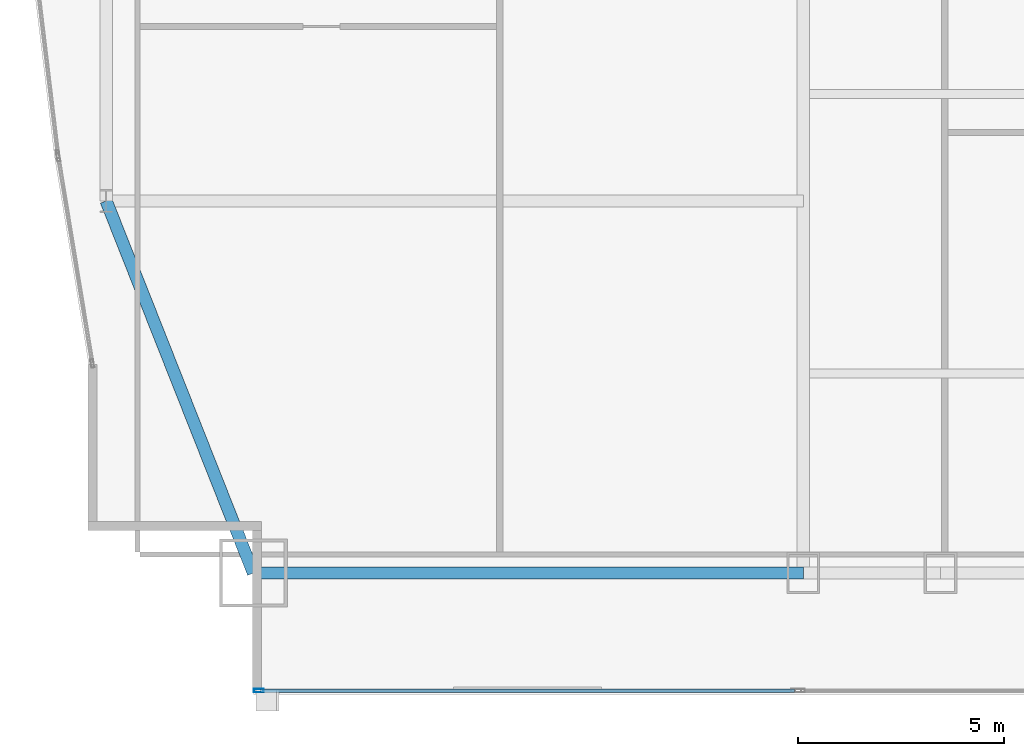
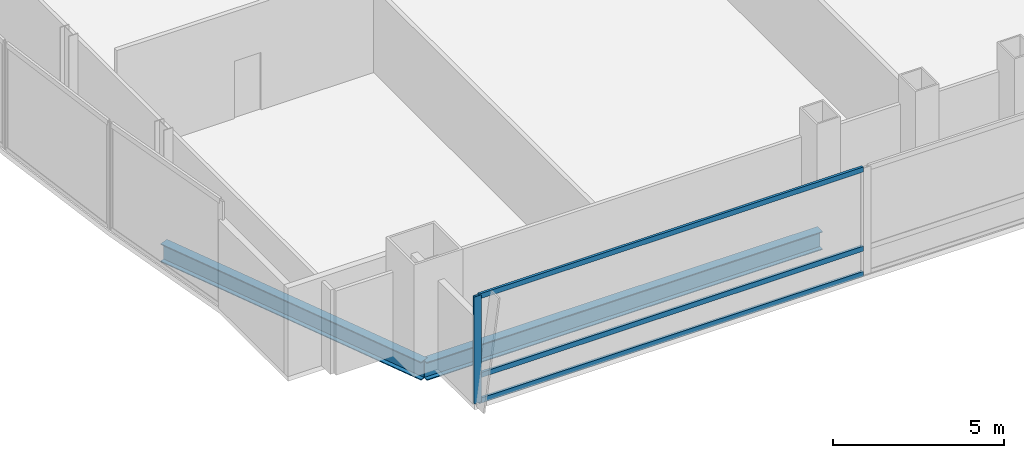
# One storey, part 5 of 32: 4 members, 2 beams, 1 element without a shape of its own.
"""IFC4 building model written with IfcOpenShell, lengths in metres."""

import ifcopenshell
import ifcopenshell.guid

model = None  # the IFC model being written
_history = None  # IfcOwnerHistory: only IFC2X3 demands one
_inside = {}  # id of a spatial element -> (the spatial element, [elements in it])
_under = {}  # id of a project, library or spatial element -> (it, [spatial elements below it])
_declared = {}  # id of a project -> (the project, [libraries it declares])
_typed = {}  # id of a type object -> (the type object, [elements of that type])
_made_of = {}  # id of a material, layer set ... -> (it, [elements and type objects made of it])


def new_model(schema):
    """Start an empty IFC model of exactly this schema.

    Asked for "IFC4X3", IfcOpenShell would pick the latest addendum, in which some entities
    have other attributes; the version numbers below select the first issue.
    IFC2X3 requires an IfcOwnerHistory on every rooted entity: one is made here for all.
    """
    global model, _history
    if schema == "IFC4X3":
        model = ifcopenshell.file(schema_version=(4, 3, 0, 0))
    else:
        model = ifcopenshell.file(schema=schema)
    _inside.clear()
    _under.clear()
    _declared.clear()
    _typed.clear()
    _made_of.clear()
    _history = None
    if model.schema == "IFC2X3":
        org = make("IfcOrganization", Name="unknown")
        user = make(
            "IfcPersonAndOrganization",
            ThePerson=make("IfcPerson", FamilyName="unknown"),
            TheOrganization=org,
        )
        app = make(
            "IfcApplication",
            ApplicationDeveloper=org,
            Version="unknown",
            ApplicationFullName="unknown",
            ApplicationIdentifier="unknown",
        )
        _history = make(
            "IfcOwnerHistory",
            OwningUser=user,
            OwningApplication=app,
            ChangeAction="ADDED",
            CreationDate=0,
        )
    return model


def make(cls, **values):
    """One entity of the class cls with the attributes given. An attribute that is None is left unset."""
    return model.create_entity(
        cls, **{name: value for name, value in values.items() if value is not None}
    )


def rooted(cls, **values):
    """An entity with a GlobalId (a new one), such as an element, a storey or a relation."""
    return make(cls, GlobalId=ifcopenshell.guid.new(), OwnerHistory=_history, **values)


def si_unit(unit_type, name, prefix=None):
    """IfcSIUnit, for example si_unit("LENGTHUNIT", "METRE", prefix="MILLI")."""
    return make("IfcSIUnit", UnitType=unit_type, Prefix=prefix, Name=name)


def assignment(units):
    """IfcUnitAssignment: the units of a project."""
    return None if units is None else make("IfcUnitAssignment", Units=units)


def point(xyz):
    """IfcCartesianPoint."""
    return None if xyz is None else make("IfcCartesianPoint", Coordinates=xyz)


def direction(xyz):
    """IfcDirection."""
    return None if xyz is None else make("IfcDirection", DirectionRatios=xyz)


def frame(location, z_axis=None, x_axis=None):
    """IfcAxis2Placement3D, a coordinate frame: its origin and axes. An axis left out is left unset."""
    return make(
        "IfcAxis2Placement3D",
        Location=point(location),
        Axis=direction(z_axis),
        RefDirection=direction(x_axis),
    )


def frame_2d(location, x_axis=None):
    """IfcAxis2Placement2D, a coordinate frame in the plane: its origin and x axis."""
    return make(
        "IfcAxis2Placement2D", Location=point(location), RefDirection=direction(x_axis)
    )


def origin():
    """The frame at (0, 0, 0) with its axes left unset."""
    return frame((0.0, 0.0, 0.0))


def origin_2d():
    """The frame at (0, 0) in the plane with its x axis left unset."""
    return frame_2d((0.0, 0.0))


def place(relative_to, where):
    """IfcLocalPlacement: puts the frame where relative to a parent placement (None: the world)."""
    return make(
        "IfcLocalPlacement", PlacementRelTo=relative_to, RelativePlacement=where
    )


def context(
    kind, dimensions, precision=None, world=None, true_north=None, identifier=None
):
    """IfcGeometricRepresentationContext, for example the 3D "Model" context."""
    return make(
        "IfcGeometricRepresentationContext",
        ContextIdentifier=identifier,
        ContextType=kind,
        CoordinateSpaceDimension=dimensions,
        Precision=precision,
        WorldCoordinateSystem=world,
        TrueNorth=true_north,
    )


def subcontext(parent, identifier, kind, view, scale=None):
    """IfcGeometricRepresentationSubContext, for example "Body" below "Model"."""
    return make(
        "IfcGeometricRepresentationSubContext",
        ContextIdentifier=identifier,
        ContextType=kind,
        ParentContext=parent,
        TargetScale=scale,
        TargetView=view,
    )


def project(units=None, contexts=None):
    """IfcProject with its units and contexts."""
    return rooted(
        "IfcProject",
        Name="project",
        RepresentationContexts=contexts,
        UnitsInContext=assignment(units),
    )


def spatial(cls, under=None, at=None, **own):
    """A site, building, storey or space (cls), placed at a placement, below another one or the project."""
    s = rooted(cls, ObjectPlacement=at, **own)
    if under is not None:
        _under.setdefault(under.id(), (under, []))[1].append(s)
    return s


def profile(cls, at=None, kind="AREA", **sizes):
    """A parametric profile (cls). Its sizes go by their IFC names, for example OverallWidth=200.0."""
    return make(cls, ProfileType=kind, Position=at, **sizes)


def hollow_rectangle(**sizes):
    """IfcRectangleHollowProfileDef."""
    return profile("IfcRectangleHollowProfileDef", **sizes)


def i_section(**sizes):
    """IfcIShapeProfileDef."""
    return profile("IfcIShapeProfileDef", **sizes)


def extrude(swept, where, along, depth):
    """IfcExtrudedAreaSolid: the profile swept, set in the frame where, extruded along a direction by depth."""
    return make(
        "IfcExtrudedAreaSolid",
        SweptArea=swept,
        Position=where,
        ExtrudedDirection=direction(along),
        Depth=depth,
    )


def shape(context_of_items, identifier, shape_type, items):
    """IfcShapeRepresentation: the items that make up one representation, for example the "Body"."""
    return make(
        "IfcShapeRepresentation",
        ContextOfItems=context_of_items,
        RepresentationIdentifier=identifier,
        RepresentationType=shape_type,
        Items=items,
    )


def material(Name=None, Category=None):
    """IfcMaterial."""
    return make("IfcMaterial", Name=Name, Category=Category)


def material_profile(
    of_material, cross_section, Name=None, Category=None, Priority=None
):
    """IfcMaterialProfile: a cross section and its material."""
    return make(
        "IfcMaterialProfile",
        Name=Name,
        Material=of_material,
        Profile=cross_section,
        Priority=Priority,
        Category=Category,
    )


def profile_set(profiles, Name=None, composite=None):
    """IfcMaterialProfileSet."""
    return make(
        "IfcMaterialProfileSet",
        Name=Name,
        MaterialProfiles=profiles,
        CompositeProfile=composite,
    )


def made_of(thing, what):
    """Note that an element or type object is made of a material, layer set ...; save() writes the relation."""
    if what is not None:
        _made_of.setdefault(what.id(), (what, []))[1].append(thing)
    return thing


def type_object(cls, material=None, **own):
    """A type object (cls), such as IfcWallType, which elements share."""
    return made_of(rooted(cls, **own), material)


def element(
    cls,
    number,
    at=None,
    inside=None,
    cuts=None,
    type_object=None,
    material=None,
    context=None,
    identifier="Body",
    shape_type=None,
    held_by="IfcProductDefinitionShape",
    body=None,
    shapes=None,
    **own,
):
    """One element of the class cls, such as IfcWall. Its Tag is "e" and its number.

    at: its placement. inside: the storey or other place that contains it. cuts: it is an
    opening in that element (IfcRelVoidsElement). A single representation is given by context,
    identifier, shape_type and body (its items); several are given by shapes. held_by: the class
    of the entity that holds the representations. save() writes the other relations.
    """
    e = rooted(cls, Tag="e%d" % number, ObjectPlacement=at, **own)
    if body is not None:
        shapes = [shape(context, identifier, shape_type, body)]
    if shapes is not None:
        e.Representation = make(held_by, Representations=shapes)
    if inside is not None:
        _inside.setdefault(inside.id(), (inside, []))[1].append(e)
    if cuts is not None:
        rooted(
            "IfcRelVoidsElement", RelatingBuildingElement=cuts, RelatedOpeningElement=e
        )
    if type_object is not None:
        _typed.setdefault(type_object.id(), (type_object, []))[1].append(e)
    return made_of(e, material)


def aggregate(whole, parts):
    """IfcRelAggregates: a whole, such as a stair, and the parts it consists of."""
    return rooted("IfcRelAggregates", RelatingObject=whole, RelatedObjects=parts)


def save(model, path):
    """Write the relations noted so far, then the file.

    IfcRelAggregates (storeys below a building ...), IfcRelContainedInSpatialStructure (elements
    in a storey), IfcRelDefinesByType, IfcRelAssociatesMaterial and IfcRelDeclares: one each for
    every whole, place, type object, material and project.
    """
    for whole, parts in _under.values():
        aggregate(whole, parts)
    for where, things in _inside.values():
        rooted(
            "IfcRelContainedInSpatialStructure",
            RelatedElements=things,
            RelatingStructure=where,
        )
    for kind, things in _typed.values():
        rooted("IfcRelDefinesByType", RelatedObjects=things, RelatingType=kind)
    for what, things in _made_of.values():
        rooted("IfcRelAssociatesMaterial", RelatedObjects=things, RelatingMaterial=what)
    for by, libraries in _declared.values():
        rooted("IfcRelDeclares", RelatingContext=by, RelatedDefinitions=libraries)
    model.write(path)


model = new_model("IFC4")

# Units and contexts
model_context = context("Model", 3, precision=1e-05, world=origin(), true_north=direction((0.0, 1.0)))
body_context = subcontext(model_context, "Body", "Model", "MODEL_VIEW")
ifc_project = project(units=[si_unit("LENGTHUNIT", "METRE"), si_unit("AREAUNIT", "SQUARE_METRE"), si_unit("VOLUMEUNIT", "CUBIC_METRE"), si_unit("PLANEANGLEUNIT", "RADIAN"), si_unit("MASSUNIT", "GRAM", prefix="KILO")], contexts=[model_context])

# Site, building, storey
site_placement = place(None, origin())
site = spatial("IfcSite", under=ifc_project, at=site_placement, CompositionType="ELEMENT")
building_placement = place(site_placement, origin())
building = spatial("IfcBuilding", under=site, at=building_placement, Name="Khoronbel Lancet Exchange", CompositionType="ELEMENT")
storey_placement = place(building_placement, frame((0.0, 0.0, 65.800048828125)))
storey = spatial("IfcBuildingStorey", under=building, at=storey_placement, Name="L15", CompositionType="ELEMENT", Elevation=65.800048828125)

# Beams
ifc_material_1 = material(Name="Steel S355", Category="steel")
ifc_material_profile_1 = material_profile(ifc_material_1, i_section(OverallWidth=0.300048828125, OverallDepth=0.64990234375, WebThickness=0.01611328125, FlangeThickness=0.031005859375, at=origin_2d()), Name="HEB 650")
ifc_profile_set_1 = profile_set([ifc_material_profile_1], Name="Steel S355")
beam_type = type_object("IfcBeamType", Name="BM-BSP1", PredefinedType="SPANDREL", material=ifc_profile_set_1)
beam_1_placement = place(storey_placement, frame((4.85009765625, 10.14990234375, -0.505126953125), z_axis=(1.0, 0.0, 0.0), x_axis=(0.0, 1.0, 0.0)))
element("IfcBeam", 1, at=beam_1_placement, inside=storey, type_object=beam_type, Name="Level L15 perimeter spandrel beam SP01", PredefinedType="SPANDREL", context=body_context, shape_type="SweptSolid", body=[
    extrude(i_section(OverallWidth=0.300048828125, OverallDepth=0.64990234375, WebThickness=0.01611328125, FlangeThickness=0.031005859375, at=origin_2d()), origin(), (0.0, 0.0, 1.0), 13.375),
])
beam_2_placement = place(storey_placement, frame((1.27001953125, 19.199951171875, -0.505126953125), z_axis=(0.367850095026, -0.92988510451, 0.0), x_axis=(0.92988510451, 0.367850095026, 0.0)))
element("IfcBeam", 2, at=beam_2_placement, inside=storey, type_object=beam_type, Name="Level L15 perimeter spandrel beam SP21", PredefinedType="SPANDREL", context=body_context, shape_type="SweptSolid", body=[
    extrude(i_section(OverallWidth=0.300048828125, OverallDepth=0.64990234375, WebThickness=0.01611328125, FlangeThickness=0.031005859375, at=origin_2d()), origin(), (0.0, 0.0, 1.0), 9.732421875),
])

# Curtain wall, members
ifc_material_2 = material(Name="Low-E Solar Control Insulating Glass", Category="glass")
curtain_wall_type = type_object("IfcCurtainWallType", Name="CW-1", PredefinedType="NOTDEFINED", material=ifc_material_2)
curtain_wall_placement = place(storey_placement, origin())
curtain_wall = element("IfcCurtainWall", 3, at=curtain_wall_placement, inside=storey, type_object=curtain_wall_type, Name="Unitised curtain wall CW-L15-SWV", PredefinedType="NOTDEFINED")
ifc_material_3 = material(Name="Bronze-Anodised Aluminium 6063-T6", Category="aluminium")
ifc_material_profile_2 = material_profile(ifc_material_3, hollow_rectangle(XDim=0.0849609375, YDim=0.239990234375, WallThickness=0.006103515625, at=origin_2d()), Name="ALU MULLION 85x240")
ifc_profile_set_2 = profile_set([ifc_material_profile_2], Name="Bronze-Anodised Aluminium 6063-T6")
member_type_1 = type_object("IfcMemberType", Name="MEM-CWM1", PredefinedType="MULLION", material=ifc_profile_set_2)
member_1_placement = place(storey_placement, frame((4.982421875, 7.2900390625, 0.0), z_axis=(0.0, 0.0, 1.0), x_axis=(0.0, 1.0, 0.0)))
member_1 = element("IfcMember", 4, at=member_1_placement, type_object=member_type_1, Name="CW1 mullion 1", PredefinedType="MULLION", context=body_context, shape_type="SweptSolid", body=[
    extrude(hollow_rectangle(XDim=0.0849609375, YDim=0.239990234375, WallThickness=0.006103515625, at=origin_2d()), origin(), (0.0, 0.0, 1.0), 3.820068359375),
])
ifc_material_profile_3 = material_profile(ifc_material_3, hollow_rectangle(XDim=0.0849609375, YDim=0.179931640625, WallThickness=0.0048828125, at=origin_2d()), Name="ALU TRANSOM 85x180")
ifc_profile_set_3 = profile_set([ifc_material_profile_3], Name="Bronze-Anodised Aluminium 6063-T6")
member_type_2 = type_object("IfcMemberType", Name="MEM-CWT1", PredefinedType="USERDEFINED", material=ifc_profile_set_3)
member_2_placement = place(storey_placement, frame((5.02490234375, 7.2900390625, 0.04248046875), z_axis=(1.0, 0.0, 0.0), x_axis=(0.0, 1.0, 0.0)))
member_2 = element("IfcMember", 5, at=member_2_placement, type_object=member_type_2, Name="CW1 transom 1.1", ObjectType="TRANSOM", PredefinedType="USERDEFINED", context=body_context, shape_type="SweptSolid", body=[
    extrude(hollow_rectangle(XDim=0.0849609375, YDim=0.179931640625, WallThickness=0.0048828125, at=origin_2d()), origin(), (0.0, 0.0, 1.0), 12.989990234375),
])
member_3_placement = place(storey_placement, frame((5.02490234375, 7.2900390625, 0.949951171875), z_axis=(1.0, 0.0, 0.0), x_axis=(0.0, 1.0, 0.0)))
member_3 = element("IfcMember", 6, at=member_3_placement, type_object=member_type_2, Name="CW1 transom 1.2", ObjectType="TRANSOM", PredefinedType="USERDEFINED", context=body_context, shape_type="SweptSolid", body=[
    extrude(hollow_rectangle(XDim=0.0849609375, YDim=0.179931640625, WallThickness=0.0048828125, at=origin_2d()), origin(), (0.0, 0.0, 1.0), 12.989990234375),
])
member_4_placement = place(storey_placement, frame((5.02490234375, 7.2900390625, 3.77734375), z_axis=(1.0, 0.0, 0.0), x_axis=(0.0, 1.0, 0.0)))
member_4 = element("IfcMember", 7, at=member_4_placement, type_object=member_type_2, Name="CW1 transom 1.3", ObjectType="TRANSOM", PredefinedType="USERDEFINED", context=body_context, shape_type="SweptSolid", body=[
    extrude(hollow_rectangle(XDim=0.0849609375, YDim=0.179931640625, WallThickness=0.0048828125, at=origin_2d()), origin(), (0.0, 0.0, 1.0), 12.989990234375),
])
aggregate(curtain_wall, [member_1, member_2, member_3, member_4])

save(model, "model.ifc")
